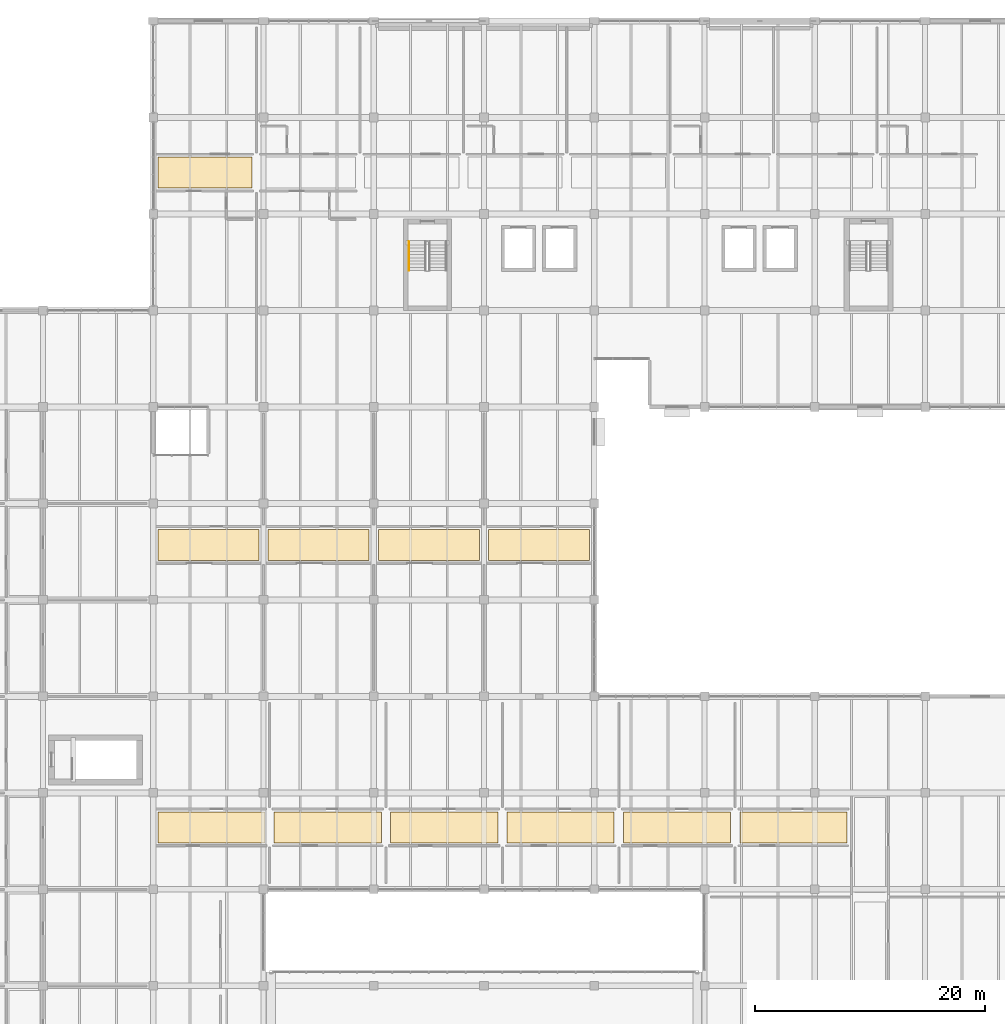
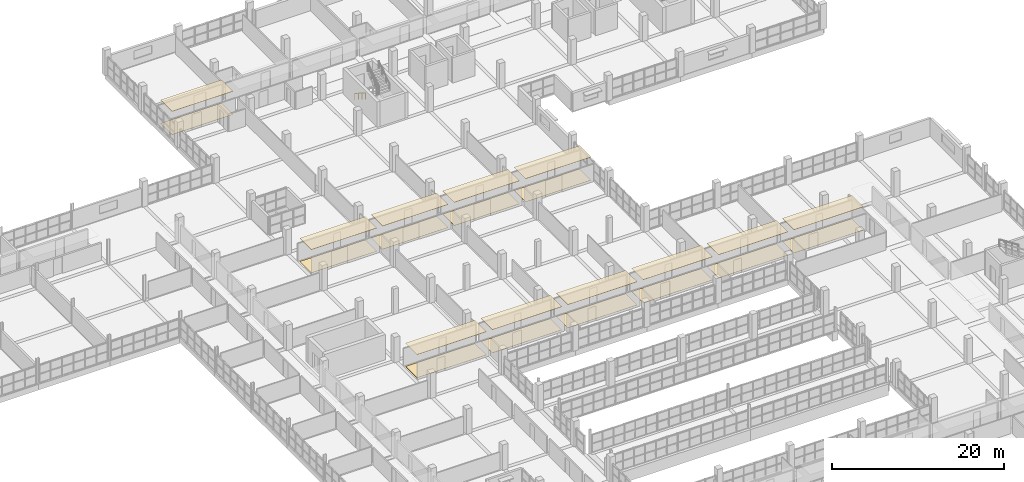
# One storey, part 144 of 147: 22 coverings, 1 railing.
"""IFC4 building model written with IfcOpenShell, lengths in metres."""

from ifc_helpers import new_model, si_unit, direction, frame, origin, origin_2d, place, context, subcontext, project, spatial, polyline, circle, outline, extrude, material, layer, layer_set, type_object, element, save


model = new_model("IFC4")

# Units and contexts
model_context = context("Model", 3, precision=1e-05, world=origin(), true_north=direction((0.0, 1.0)))
body_context = subcontext(model_context, "Body", "Model", "MODEL_VIEW")
ifc_project = project(units=[si_unit("LENGTHUNIT", "METRE"), si_unit("AREAUNIT", "SQUARE_METRE"), si_unit("VOLUMEUNIT", "CUBIC_METRE"), si_unit("PLANEANGLEUNIT", "RADIAN"), si_unit("MASSUNIT", "GRAM", prefix="KILO")], contexts=[model_context])

# Site, building, storey
site_placement = place(None, origin())
site = spatial("IfcSite", under=ifc_project, at=site_placement, CompositionType="ELEMENT")
building_placement = place(site_placement, origin())
building = spatial("IfcBuilding", under=site, at=building_placement, Name="Oolite Switchyard Hospital", CompositionType="ELEMENT")
storey_placement = place(building_placement, frame((0.0, 0.0, 9.89990234375)))
storey = spatial("IfcBuildingStorey", under=building, at=storey_placement, Name="L02", CompositionType="ELEMENT", Elevation=9.89990234375)

# Coverings
ifc_material_1 = material(Name="Hygienic washable mineral-fibre acoustic ceiling")
ifc_layer_1 = layer(ifc_material_1, 0.0400390625)
ifc_layer_set_1 = layer_set([ifc_layer_1], Name="COV-CEIL-AC60")
covering_type_1 = type_object("IfcCoveringType", Name="COV-CEIL-AC60", PredefinedType="CEILING", material=ifc_layer_set_1)
covering_1_placement = place(storey_placement, frame((0.0, 0.0, 3.28515625)))
element("IfcCovering", 1, at=covering_1_placement, inside=storey, type_object=covering_type_1, Name="L02 Clinical Informatics Link Corridor L02 Ceiling 1", PredefinedType="CEILING", context=body_context, shape_type="SweptSolid", body=[
    extrude(outline(polyline([(134.800048828125, 87.449951171875), (143.60009765625, 87.449951171875), (143.60009765625, 90.14990234375), (134.800048828125, 90.14990234375), (134.800048828125, 87.449951171875)])), origin(), (0.0, 0.0, 1.0), 0.0400390625),
])
covering_2_placement = place(storey_placement, frame((0.0, 0.0, 3.28515625)))
element("IfcCovering", 2, at=covering_2_placement, inside=storey, type_object=covering_type_1, Name="L02 Clinical Informatics Link Corridor L02 Ceiling 2", PredefinedType="CEILING", context=body_context, shape_type="SweptSolid", body=[
    extrude(outline(polyline([(144.39990234375, 87.449951171875), (153.199951171875, 87.449951171875), (153.199951171875, 90.14990234375), (144.39990234375, 90.14990234375), (144.39990234375, 87.449951171875)])), origin(), (0.0, 0.0, 1.0), 0.0400390625),
])
covering_3_placement = place(storey_placement, frame((0.0, 0.0, 3.28515625)))
element("IfcCovering", 3, at=covering_3_placement, inside=storey, type_object=covering_type_1, Name="L02 Clinical Informatics Link Corridor L02 Ceiling 3", PredefinedType="CEILING", context=body_context, shape_type="SweptSolid", body=[
    extrude(outline(polyline([(154.0, 87.449951171875), (162.800048828125, 87.449951171875), (162.800048828125, 90.14990234375), (154.0, 90.14990234375), (154.0, 87.449951171875)])), origin(), (0.0, 0.0, 1.0), 0.0400390625),
])
covering_4_placement = place(storey_placement, frame((0.0, 0.0, 3.28515625)))
element("IfcCovering", 4, at=covering_4_placement, inside=storey, type_object=covering_type_1, Name="L02 Clinical Informatics Link Corridor L02 Ceiling 4", PredefinedType="CEILING", context=body_context, shape_type="SweptSolid", body=[
    extrude(outline(polyline([(163.60009765625, 87.449951171875), (172.39990234375, 87.449951171875), (172.39990234375, 90.14990234375), (163.60009765625, 90.14990234375), (163.60009765625, 87.449951171875)])), origin(), (0.0, 0.0, 1.0), 0.0400390625),
])
covering_5_placement = place(storey_placement, frame((0.0, 0.0, 3.28515625)))
element("IfcCovering", 5, at=covering_5_placement, inside=storey, type_object=covering_type_1, Name="L02 East Pulmonary Ward Corridor Ceiling 1", PredefinedType="CEILING", context=body_context, shape_type="SweptSolid", body=[
    extrude(outline(polyline([(134.800048828125, 119.85009765625), (143.0, 119.85009765625), (143.0, 122.550048828125), (134.800048828125, 122.550048828125), (134.800048828125, 119.85009765625)])), origin(), (0.0, 0.0, 1.0), 0.0400390625),
])
covering_6_placement = place(storey_placement, frame((0.0, 0.0, 3.28515625)))
element("IfcCovering", 6, at=covering_6_placement, inside=storey, type_object=covering_type_1, Name="L02 Outpatient Rheumatology Corridor L02 Ceiling 1", PredefinedType="CEILING", context=body_context, shape_type="SweptSolid", body=[
    extrude(outline(polyline([(134.800048828125, 62.85009765625), (144.133056640625, 62.85009765625), (144.133056640625, 65.550048828125), (134.800048828125, 65.550048828125), (134.800048828125, 62.85009765625)])), origin(), (0.0, 0.0, 1.0), 0.0400390625),
])
covering_7_placement = place(storey_placement, frame((0.0, 0.0, 3.28515625)))
element("IfcCovering", 7, at=covering_7_placement, inside=storey, type_object=covering_type_1, Name="L02 Outpatient Rheumatology Corridor L02 Ceiling 2", PredefinedType="CEILING", context=body_context, shape_type="SweptSolid", body=[
    extrude(outline(polyline([(144.93310546875, 62.85009765625), (154.26611328125, 62.85009765625), (154.26611328125, 65.550048828125), (144.93310546875, 65.550048828125), (144.93310546875, 62.85009765625)])), origin(), (0.0, 0.0, 1.0), 0.0400390625),
])
covering_8_placement = place(storey_placement, frame((0.0, 0.0, 3.28515625)))
element("IfcCovering", 8, at=covering_8_placement, inside=storey, type_object=covering_type_1, Name="L02 Outpatient Rheumatology Corridor L02 Ceiling 3", PredefinedType="CEILING", context=body_context, shape_type="SweptSolid", body=[
    extrude(outline(polyline([(155.06591796875, 62.85009765625), (164.39892578125, 62.85009765625), (164.39892578125, 65.550048828125), (155.06591796875, 65.550048828125), (155.06591796875, 62.85009765625)])), origin(), (0.0, 0.0, 1.0), 0.0400390625),
])
covering_9_placement = place(storey_placement, frame((0.0, 0.0, 3.28515625)))
element("IfcCovering", 9, at=covering_9_placement, inside=storey, type_object=covering_type_1, Name="L02 Outpatient Rheumatology Corridor L02 Ceiling 4", PredefinedType="CEILING", context=body_context, shape_type="SweptSolid", body=[
    extrude(outline(polyline([(165.198974609375, 62.85009765625), (174.531982421875, 62.85009765625), (174.531982421875, 65.550048828125), (165.198974609375, 65.550048828125), (165.198974609375, 62.85009765625)])), origin(), (0.0, 0.0, 1.0), 0.0400390625),
])
covering_10_placement = place(storey_placement, frame((0.0, 0.0, 3.28515625)))
element("IfcCovering", 10, at=covering_10_placement, inside=storey, type_object=covering_type_1, Name="L02 Outpatient Rheumatology Corridor L02 Ceiling 5", PredefinedType="CEILING", context=body_context, shape_type="SweptSolid", body=[
    extrude(outline(polyline([(175.33203125, 62.85009765625), (184.6650390625, 62.85009765625), (184.6650390625, 65.550048828125), (175.33203125, 65.550048828125), (175.33203125, 62.85009765625)])), origin(), (0.0, 0.0, 1.0), 0.0400390625),
])
covering_11_placement = place(storey_placement, frame((0.0, 0.0, 3.28515625)))
element("IfcCovering", 11, at=covering_11_placement, inside=storey, type_object=covering_type_1, Name="L02 Outpatient Rheumatology Corridor L02 Ceiling 6", PredefinedType="CEILING", context=body_context, shape_type="SweptSolid", body=[
    extrude(outline(polyline([(185.465087890625, 62.85009765625), (194.798095703125, 62.85009765625), (194.798095703125, 65.550048828125), (185.465087890625, 65.550048828125), (185.465087890625, 62.85009765625)])), origin(), (0.0, 0.0, 1.0), 0.0400390625),
])
ifc_material_2 = material(Name="Epoxy terrazzo seamless clinical flooring")
ifc_layer_2 = layer(ifc_material_2, 0.02001953125)
ifc_layer_set_2 = layer_set([ifc_layer_2], Name="COV-FLR-TER20")
covering_type_2 = type_object("IfcCoveringType", Name="COV-FLR-TER20", PredefinedType="FLOORING", material=ifc_layer_set_2)
covering_12_placement = place(storey_placement, origin())
element("IfcCovering", 12, at=covering_12_placement, inside=storey, type_object=covering_type_2, Name="L02 Clinical Informatics Link Corridor L02 Flooring 1", PredefinedType="FLOORING", context=body_context, shape_type="SweptSolid", body=[
    extrude(outline(polyline([(134.800048828125, 87.449951171875), (143.60009765625, 87.449951171875), (143.60009765625, 90.14990234375), (134.800048828125, 90.14990234375), (134.800048828125, 87.449951171875)])), origin(), (0.0, 0.0, 1.0), 0.02001953125),
])
covering_13_placement = place(storey_placement, origin())
element("IfcCovering", 13, at=covering_13_placement, inside=storey, type_object=covering_type_2, Name="L02 Clinical Informatics Link Corridor L02 Flooring 2", PredefinedType="FLOORING", context=body_context, shape_type="SweptSolid", body=[
    extrude(outline(polyline([(144.39990234375, 87.449951171875), (153.199951171875, 87.449951171875), (153.199951171875, 90.14990234375), (144.39990234375, 90.14990234375), (144.39990234375, 87.449951171875)])), origin(), (0.0, 0.0, 1.0), 0.02001953125),
])
covering_14_placement = place(storey_placement, origin())
element("IfcCovering", 14, at=covering_14_placement, inside=storey, type_object=covering_type_2, Name="L02 Clinical Informatics Link Corridor L02 Flooring 3", PredefinedType="FLOORING", context=body_context, shape_type="SweptSolid", body=[
    extrude(outline(polyline([(154.0, 87.449951171875), (162.800048828125, 87.449951171875), (162.800048828125, 90.14990234375), (154.0, 90.14990234375), (154.0, 87.449951171875)])), origin(), (0.0, 0.0, 1.0), 0.02001953125),
])
covering_15_placement = place(storey_placement, origin())
element("IfcCovering", 15, at=covering_15_placement, inside=storey, type_object=covering_type_2, Name="L02 Clinical Informatics Link Corridor L02 Flooring 4", PredefinedType="FLOORING", context=body_context, shape_type="SweptSolid", body=[
    extrude(outline(polyline([(163.60009765625, 87.449951171875), (172.39990234375, 87.449951171875), (172.39990234375, 90.14990234375), (163.60009765625, 90.14990234375), (163.60009765625, 87.449951171875)])), origin(), (0.0, 0.0, 1.0), 0.02001953125),
])
covering_16_placement = place(storey_placement, origin())
element("IfcCovering", 16, at=covering_16_placement, inside=storey, type_object=covering_type_2, Name="L02 East Pulmonary Ward Corridor Flooring 1", PredefinedType="FLOORING", context=body_context, shape_type="SweptSolid", body=[
    extrude(outline(polyline([(134.800048828125, 119.85009765625), (143.0, 119.85009765625), (143.0, 122.550048828125), (134.800048828125, 122.550048828125), (134.800048828125, 119.85009765625)])), origin(), (0.0, 0.0, 1.0), 0.02001953125),
])
covering_17_placement = place(storey_placement, origin())
element("IfcCovering", 17, at=covering_17_placement, inside=storey, type_object=covering_type_2, Name="L02 Outpatient Rheumatology Corridor L02 Flooring 1", PredefinedType="FLOORING", context=body_context, shape_type="SweptSolid", body=[
    extrude(outline(polyline([(134.800048828125, 62.85009765625), (144.133056640625, 62.85009765625), (144.133056640625, 65.550048828125), (134.800048828125, 65.550048828125), (134.800048828125, 62.85009765625)])), origin(), (0.0, 0.0, 1.0), 0.02001953125),
])
covering_18_placement = place(storey_placement, origin())
element("IfcCovering", 18, at=covering_18_placement, inside=storey, type_object=covering_type_2, Name="L02 Outpatient Rheumatology Corridor L02 Flooring 2", PredefinedType="FLOORING", context=body_context, shape_type="SweptSolid", body=[
    extrude(outline(polyline([(144.93310546875, 62.85009765625), (154.26611328125, 62.85009765625), (154.26611328125, 65.550048828125), (144.93310546875, 65.550048828125), (144.93310546875, 62.85009765625)])), origin(), (0.0, 0.0, 1.0), 0.02001953125),
])
covering_19_placement = place(storey_placement, origin())
element("IfcCovering", 19, at=covering_19_placement, inside=storey, type_object=covering_type_2, Name="L02 Outpatient Rheumatology Corridor L02 Flooring 3", PredefinedType="FLOORING", context=body_context, shape_type="SweptSolid", body=[
    extrude(outline(polyline([(155.06591796875, 62.85009765625), (164.39892578125, 62.85009765625), (164.39892578125, 65.550048828125), (155.06591796875, 65.550048828125), (155.06591796875, 62.85009765625)])), origin(), (0.0, 0.0, 1.0), 0.02001953125),
])
covering_20_placement = place(storey_placement, origin())
element("IfcCovering", 20, at=covering_20_placement, inside=storey, type_object=covering_type_2, Name="L02 Outpatient Rheumatology Corridor L02 Flooring 4", PredefinedType="FLOORING", context=body_context, shape_type="SweptSolid", body=[
    extrude(outline(polyline([(165.198974609375, 62.85009765625), (174.531982421875, 62.85009765625), (174.531982421875, 65.550048828125), (165.198974609375, 65.550048828125), (165.198974609375, 62.85009765625)])), origin(), (0.0, 0.0, 1.0), 0.02001953125),
])
covering_21_placement = place(storey_placement, origin())
element("IfcCovering", 21, at=covering_21_placement, inside=storey, type_object=covering_type_2, Name="L02 Outpatient Rheumatology Corridor L02 Flooring 5", PredefinedType="FLOORING", context=body_context, shape_type="SweptSolid", body=[
    extrude(outline(polyline([(175.33203125, 62.85009765625), (184.6650390625, 62.85009765625), (184.6650390625, 65.550048828125), (175.33203125, 65.550048828125), (175.33203125, 62.85009765625)])), origin(), (0.0, 0.0, 1.0), 0.02001953125),
])
covering_22_placement = place(storey_placement, origin())
element("IfcCovering", 22, at=covering_22_placement, inside=storey, type_object=covering_type_2, Name="L02 Outpatient Rheumatology Corridor L02 Flooring 6", PredefinedType="FLOORING", context=body_context, shape_type="SweptSolid", body=[
    extrude(outline(polyline([(185.465087890625, 62.85009765625), (194.798095703125, 62.85009765625), (194.798095703125, 65.550048828125), (185.465087890625, 65.550048828125), (185.465087890625, 62.85009765625)])), origin(), (0.0, 0.0, 1.0), 0.02001953125),
])

# Railing
ifc_material_3 = material(Name="Galvanized painted architectural steel handrail", Category="steel")
railing_type = type_object("IfcRailingType", Name="RL-STAIR-HND", PredefinedType="HANDRAIL", material=ifc_material_3)
railing_placement = place(storey_placement, frame((156.64990234375, 115.18994140625, 0.18017578125)))
element("IfcRailing", 23, at=railing_placement, inside=storey, type_object=railing_type, Name="L02 ST-03 stair handrail 1", PredefinedType="HANDRAIL", context=body_context, shape_type="SweptSolid", body=[
    extrude(circle(Radius=0.02392578125, at=origin_2d()), frame((0.0, 0.0, 0.8759765625), z_axis=(0.0, -0.841199657755, 0.540724639528), x_axis=(1.0, 0.0, 0.0)), (0.0, 0.0, 1.0), 2.995849609375),
    extrude(circle(Radius=0.02099609375, at=origin_2d()), origin(), (0.0, 0.0, 1.0), 0.851806640625),
    extrude(circle(Radius=0.02099609375, at=origin_2d()), frame((0.0, -0.840087890625, 0.5400390625)), (0.0, 0.0, 1.0), 0.851806640625),
    extrude(circle(Radius=0.02099609375, at=origin_2d()), frame((0.0, -1.679931640625, 1.079833984375)), (0.0, 0.0, 1.0), 0.851806640625),
    extrude(circle(Radius=0.02099609375, at=origin_2d()), frame((0.0, -2.52001953125, 1.619873046875)), (0.0, 0.0, 1.0), 0.851806640625),
])

save(model, "model.ifc")
